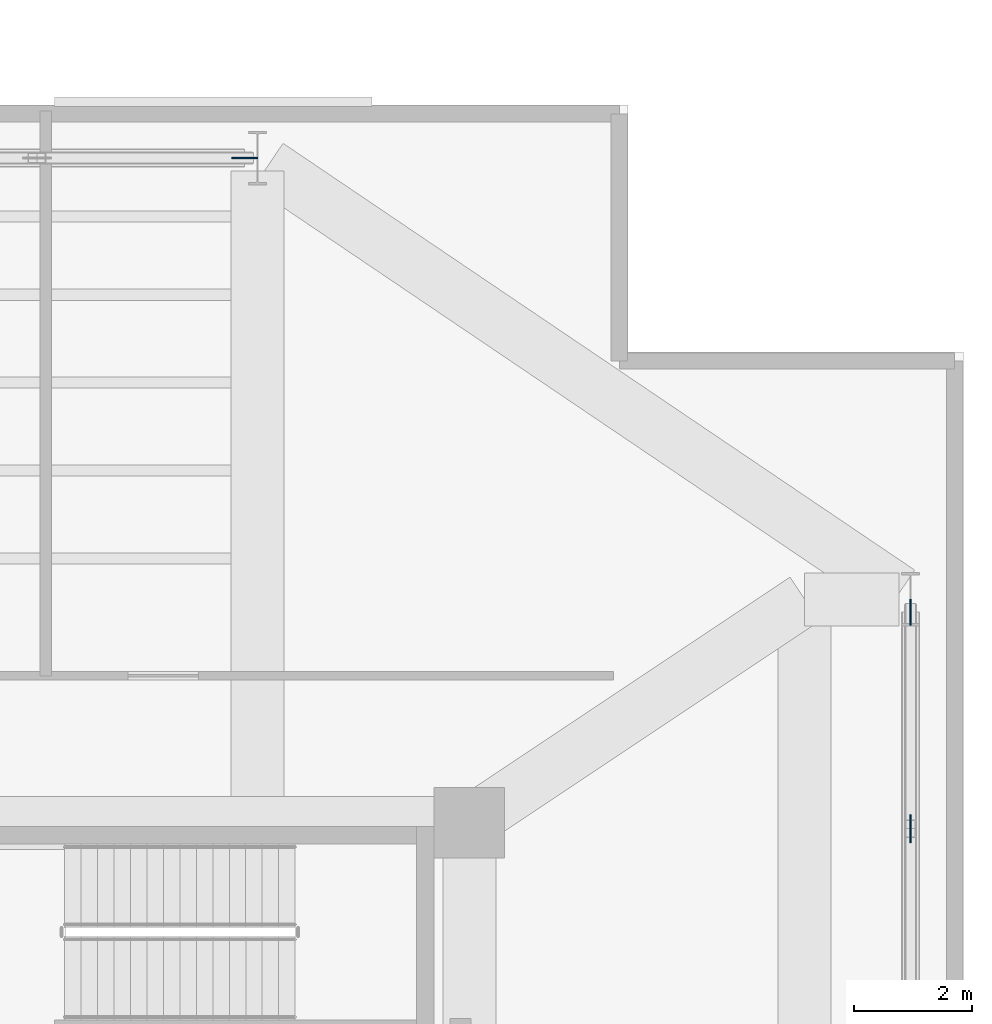
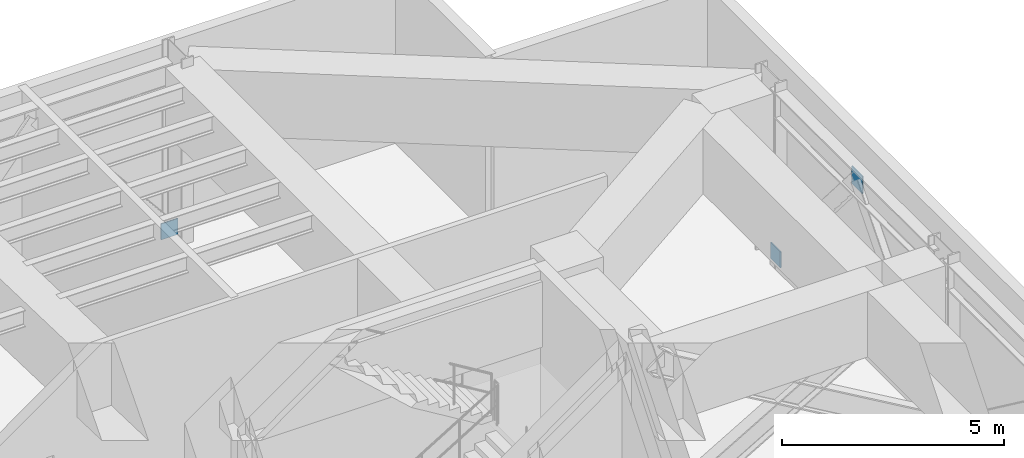
# One storey, part 7 of 13: 3 plates.
"""IFC4 building model written with IfcOpenShell, lengths in metres."""

from ifc_helpers import new_model, si_unit, direction, frame, origin, origin_2d, place, context, subcontext, project, spatial, rectangle, extrude, material, layer, layer_set, type_object, element, save


model = new_model("IFC4")

# Units and contexts
model_context = context("Model", 3, precision=1e-05, world=origin(), true_north=direction((0.0, 1.0)))
body_context = subcontext(model_context, "Body", "Model", "MODEL_VIEW")
ifc_project = project(units=[si_unit("LENGTHUNIT", "METRE"), si_unit("AREAUNIT", "SQUARE_METRE"), si_unit("VOLUMEUNIT", "CUBIC_METRE"), si_unit("PLANEANGLEUNIT", "RADIAN"), si_unit("MASSUNIT", "GRAM", prefix="KILO")], contexts=[model_context])

# Site, building, storey
site_placement = place(None, origin())
site = spatial("IfcSite", under=ifc_project, at=site_placement, CompositionType="ELEMENT")
building_placement = place(site_placement, origin())
building = spatial("IfcBuilding", under=site, at=building_placement, Name="Tarnavaz Court Tower", CompositionType="ELEMENT")
storey_placement = place(building_placement, frame((0.0, 0.0, 127.5)))
storey = spatial("IfcBuildingStorey", under=building, at=storey_placement, Name="L34", CompositionType="ELEMENT", Elevation=127.5)

# Plates
ifc_material = material(Name="Steel S355", Category="steel")
ifc_layer = layer(ifc_material, 0.030029296875)
ifc_layer_set = layer_set([ifc_layer], Name="Steel S355")
plate_type = type_object("IfcPlateType", Name="PL-GUSSET-30", PredefinedType="USERDEFINED", material=ifc_layer_set)
plate_placement = place(storey_placement, frame((26.10009765625, 9.89990234375, 4.260009765625), z_axis=(0.0, 0.0, 1.0), x_axis=(0.0, 1.0, 0.0)))
element("IfcPlate", 1, at=plate_placement, inside=storey, type_object=plate_type, Name="L34 Belt Truss Apex Gusset & End-Cap Plate 09", ObjectType="GUSSET PLATE", PredefinedType="USERDEFINED", context=body_context, shape_type="SweptSolid", body=[
    extrude(rectangle(XDim=0.47998046875, YDim=0.030029296875, at=origin_2d()), origin(), (0.0, 0.0, 1.0), 0.47998046875),
])
for number, where, z_axis, x_axis, name in (
    (2, (14.780029296875, 21.300048828125, -0.02001953125), (0.0, 0.0, 1.0), (1.0, 0.0, 0.0), "L34 Structural Brace & Strut End Gusset Plate 042"),
    (3, (26.10009765625, 13.580078125, -0.02001953125), (0.0, 0.0, 1.0), (0.0, 1.0, 0.0), "L34 Structural Brace & Strut End Gusset Plate 054"),
):
    element("IfcPlate", number, at=place(storey_placement, frame(where, z_axis=z_axis, x_axis=x_axis)), inside=storey, type_object=plate_type, Name=name, ObjectType="GUSSET PLATE", PredefinedType="USERDEFINED", context=body_context, shape_type="SweptSolid", body=[
        extrude(rectangle(XDim=0.43994140625, YDim=0.030029296875, at=origin_2d()), origin(), (0.0, 0.0, 1.0), 0.43994140625),
    ])

save(model, "model.ifc")
